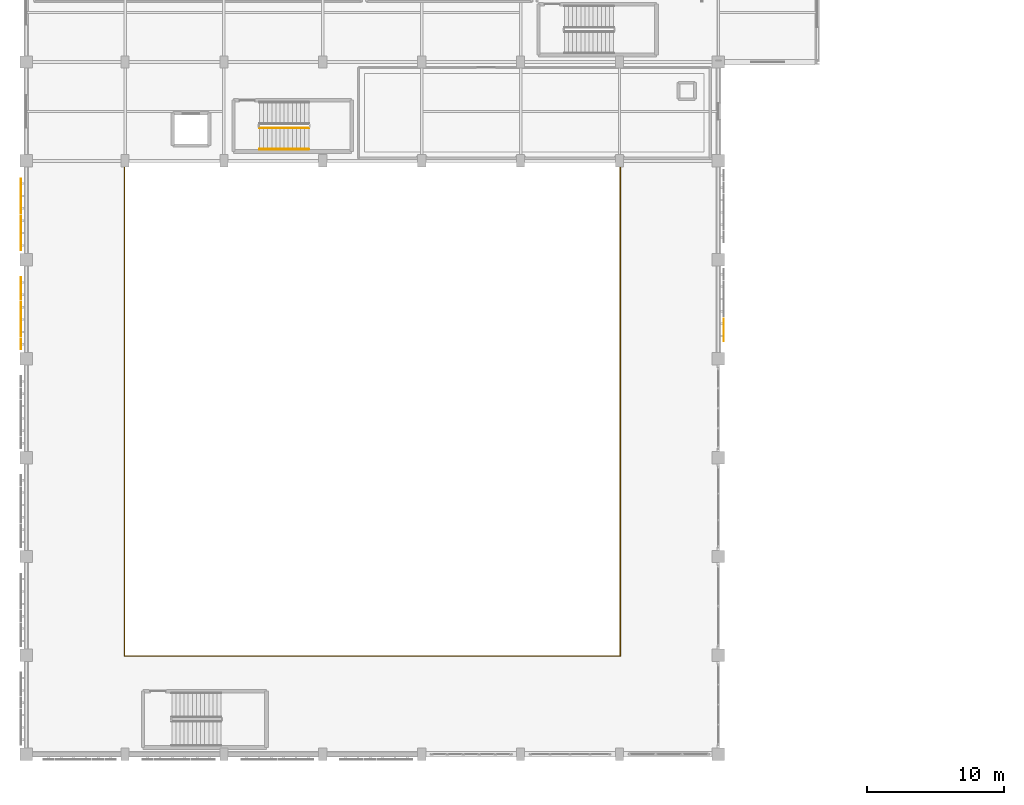
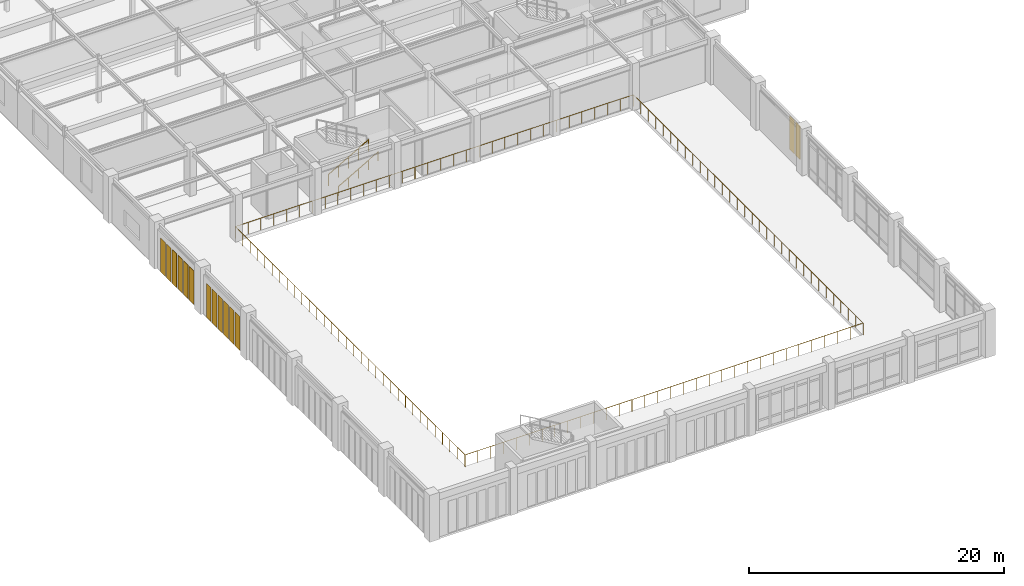
# One storey, part 95 of 106: 14 coverings, 4 railings.
"""IFC4 building model written with IfcOpenShell, lengths in metres."""

import ifcopenshell
import ifcopenshell.guid

model = None  # the IFC model being written
_history = None  # IfcOwnerHistory: only IFC2X3 demands one
_inside = {}  # id of a spatial element -> (the spatial element, [elements in it])
_under = {}  # id of a project, library or spatial element -> (it, [spatial elements below it])
_declared = {}  # id of a project -> (the project, [libraries it declares])
_typed = {}  # id of a type object -> (the type object, [elements of that type])
_made_of = {}  # id of a material, layer set ... -> (it, [elements and type objects made of it])


def new_model(schema):
    """Start an empty IFC model of exactly this schema.

    Asked for "IFC4X3", IfcOpenShell would pick the latest addendum, in which some entities
    have other attributes; the version numbers below select the first issue.
    IFC2X3 requires an IfcOwnerHistory on every rooted entity: one is made here for all.
    """
    global model, _history
    if schema == "IFC4X3":
        model = ifcopenshell.file(schema_version=(4, 3, 0, 0))
    else:
        model = ifcopenshell.file(schema=schema)
    _inside.clear()
    _under.clear()
    _declared.clear()
    _typed.clear()
    _made_of.clear()
    _history = None
    if model.schema == "IFC2X3":
        org = make("IfcOrganization", Name="unknown")
        user = make(
            "IfcPersonAndOrganization",
            ThePerson=make("IfcPerson", FamilyName="unknown"),
            TheOrganization=org,
        )
        app = make(
            "IfcApplication",
            ApplicationDeveloper=org,
            Version="unknown",
            ApplicationFullName="unknown",
            ApplicationIdentifier="unknown",
        )
        _history = make(
            "IfcOwnerHistory",
            OwningUser=user,
            OwningApplication=app,
            ChangeAction="ADDED",
            CreationDate=0,
        )
    return model


def make(cls, **values):
    """One entity of the class cls with the attributes given. An attribute that is None is left unset."""
    return model.create_entity(
        cls, **{name: value for name, value in values.items() if value is not None}
    )


def rooted(cls, **values):
    """An entity with a GlobalId (a new one), such as an element, a storey or a relation."""
    return make(cls, GlobalId=ifcopenshell.guid.new(), OwnerHistory=_history, **values)


def si_unit(unit_type, name, prefix=None):
    """IfcSIUnit, for example si_unit("LENGTHUNIT", "METRE", prefix="MILLI")."""
    return make("IfcSIUnit", UnitType=unit_type, Prefix=prefix, Name=name)


def assignment(units):
    """IfcUnitAssignment: the units of a project."""
    return None if units is None else make("IfcUnitAssignment", Units=units)


def point(xyz):
    """IfcCartesianPoint."""
    return None if xyz is None else make("IfcCartesianPoint", Coordinates=xyz)


def direction(xyz):
    """IfcDirection."""
    return None if xyz is None else make("IfcDirection", DirectionRatios=xyz)


def frame(location, z_axis=None, x_axis=None):
    """IfcAxis2Placement3D, a coordinate frame: its origin and axes. An axis left out is left unset."""
    return make(
        "IfcAxis2Placement3D",
        Location=point(location),
        Axis=direction(z_axis),
        RefDirection=direction(x_axis),
    )


def frame_2d(location, x_axis=None):
    """IfcAxis2Placement2D, a coordinate frame in the plane: its origin and x axis."""
    return make(
        "IfcAxis2Placement2D", Location=point(location), RefDirection=direction(x_axis)
    )


def origin():
    """The frame at (0, 0, 0) with its axes left unset."""
    return frame((0.0, 0.0, 0.0))


def origin_2d():
    """The frame at (0, 0) in the plane with its x axis left unset."""
    return frame_2d((0.0, 0.0))


def place(relative_to, where):
    """IfcLocalPlacement: puts the frame where relative to a parent placement (None: the world)."""
    return make(
        "IfcLocalPlacement", PlacementRelTo=relative_to, RelativePlacement=where
    )


def context(
    kind, dimensions, precision=None, world=None, true_north=None, identifier=None
):
    """IfcGeometricRepresentationContext, for example the 3D "Model" context."""
    return make(
        "IfcGeometricRepresentationContext",
        ContextIdentifier=identifier,
        ContextType=kind,
        CoordinateSpaceDimension=dimensions,
        Precision=precision,
        WorldCoordinateSystem=world,
        TrueNorth=true_north,
    )


def subcontext(parent, identifier, kind, view, scale=None):
    """IfcGeometricRepresentationSubContext, for example "Body" below "Model"."""
    return make(
        "IfcGeometricRepresentationSubContext",
        ContextIdentifier=identifier,
        ContextType=kind,
        ParentContext=parent,
        TargetScale=scale,
        TargetView=view,
    )


def project(units=None, contexts=None):
    """IfcProject with its units and contexts."""
    return rooted(
        "IfcProject",
        Name="project",
        RepresentationContexts=contexts,
        UnitsInContext=assignment(units),
    )


def spatial(cls, under=None, at=None, **own):
    """A site, building, storey or space (cls), placed at a placement, below another one or the project."""
    s = rooted(cls, ObjectPlacement=at, **own)
    if under is not None:
        _under.setdefault(under.id(), (under, []))[1].append(s)
    return s


def profile(cls, at=None, kind="AREA", **sizes):
    """A parametric profile (cls). Its sizes go by their IFC names, for example OverallWidth=200.0."""
    return make(cls, ProfileType=kind, Position=at, **sizes)


def rectangle(**sizes):
    """IfcRectangleProfileDef."""
    return profile("IfcRectangleProfileDef", **sizes)


def circle(**sizes):
    """IfcCircleProfileDef."""
    return profile("IfcCircleProfileDef", **sizes)


def extrude(swept, where, along, depth):
    """IfcExtrudedAreaSolid: the profile swept, set in the frame where, extruded along a direction by depth."""
    return make(
        "IfcExtrudedAreaSolid",
        SweptArea=swept,
        Position=where,
        ExtrudedDirection=direction(along),
        Depth=depth,
    )


def shape(context_of_items, identifier, shape_type, items):
    """IfcShapeRepresentation: the items that make up one representation, for example the "Body"."""
    return make(
        "IfcShapeRepresentation",
        ContextOfItems=context_of_items,
        RepresentationIdentifier=identifier,
        RepresentationType=shape_type,
        Items=items,
    )


def material(Name=None, Category=None):
    """IfcMaterial."""
    return make("IfcMaterial", Name=Name, Category=Category)


def layer(
    of_material, thickness, ventilated=None, Name=None, Category=None, Priority=None
):
    """IfcMaterialLayer: one layer of a wall or slab, of a material (None: an air gap)."""
    return make(
        "IfcMaterialLayer",
        Material=of_material,
        LayerThickness=thickness,
        IsVentilated=ventilated,
        Name=Name,
        Category=Category,
        Priority=Priority,
    )


def layer_set(layers, Name=None):
    """IfcMaterialLayerSet."""
    return make("IfcMaterialLayerSet", MaterialLayers=layers, LayerSetName=Name)


def made_of(thing, what):
    """Note that an element or type object is made of a material, layer set ...; save() writes the relation."""
    if what is not None:
        _made_of.setdefault(what.id(), (what, []))[1].append(thing)
    return thing


def type_object(cls, material=None, **own):
    """A type object (cls), such as IfcWallType, which elements share."""
    return made_of(rooted(cls, **own), material)


def element(
    cls,
    number,
    at=None,
    inside=None,
    cuts=None,
    type_object=None,
    material=None,
    context=None,
    identifier="Body",
    shape_type=None,
    held_by="IfcProductDefinitionShape",
    body=None,
    shapes=None,
    **own,
):
    """One element of the class cls, such as IfcWall. Its Tag is "e" and its number.

    at: its placement. inside: the storey or other place that contains it. cuts: it is an
    opening in that element (IfcRelVoidsElement). A single representation is given by context,
    identifier, shape_type and body (its items); several are given by shapes. held_by: the class
    of the entity that holds the representations. save() writes the other relations.
    """
    e = rooted(cls, Tag="e%d" % number, ObjectPlacement=at, **own)
    if body is not None:
        shapes = [shape(context, identifier, shape_type, body)]
    if shapes is not None:
        e.Representation = make(held_by, Representations=shapes)
    if inside is not None:
        _inside.setdefault(inside.id(), (inside, []))[1].append(e)
    if cuts is not None:
        rooted(
            "IfcRelVoidsElement", RelatingBuildingElement=cuts, RelatedOpeningElement=e
        )
    if type_object is not None:
        _typed.setdefault(type_object.id(), (type_object, []))[1].append(e)
    return made_of(e, material)


def aggregate(whole, parts):
    """IfcRelAggregates: a whole, such as a stair, and the parts it consists of."""
    return rooted("IfcRelAggregates", RelatingObject=whole, RelatedObjects=parts)


def save(model, path):
    """Write the relations noted so far, then the file.

    IfcRelAggregates (storeys below a building ...), IfcRelContainedInSpatialStructure (elements
    in a storey), IfcRelDefinesByType, IfcRelAssociatesMaterial and IfcRelDeclares: one each for
    every whole, place, type object, material and project.
    """
    for whole, parts in _under.values():
        aggregate(whole, parts)
    for where, things in _inside.values():
        rooted(
            "IfcRelContainedInSpatialStructure",
            RelatedElements=things,
            RelatingStructure=where,
        )
    for kind, things in _typed.values():
        rooted("IfcRelDefinesByType", RelatedObjects=things, RelatingType=kind)
    for what, things in _made_of.values():
        rooted("IfcRelAssociatesMaterial", RelatedObjects=things, RelatingMaterial=what)
    for by, libraries in _declared.values():
        rooted("IfcRelDeclares", RelatingContext=by, RelatedDefinitions=libraries)
    model.write(path)


model = new_model("IFC4")

# Units and contexts
model_context = context("Model", 3, precision=1e-05, world=origin(), true_north=direction((0.0, 1.0)))
body_context = subcontext(model_context, "Body", "Model", "MODEL_VIEW")
ifc_project = project(units=[si_unit("LENGTHUNIT", "METRE"), si_unit("AREAUNIT", "SQUARE_METRE"), si_unit("VOLUMEUNIT", "CUBIC_METRE"), si_unit("PLANEANGLEUNIT", "RADIAN"), si_unit("MASSUNIT", "GRAM", prefix="KILO")], contexts=[model_context])

# Site, building, storey
site_placement = place(None, origin())
site = spatial("IfcSite", under=ifc_project, at=site_placement, CompositionType="ELEMENT")
building_placement = place(site_placement, origin())
building = spatial("IfcBuilding", under=site, at=building_placement, Name="Carrowvane Square Congress Hotel", CompositionType="ELEMENT")
storey_placement = place(building_placement, frame((0.0, 0.0, 10.5)))
storey = spatial("IfcBuildingStorey", under=building, at=storey_placement, Name="L02", CompositionType="ELEMENT", Elevation=10.5)

# Coverings
ifc_material_1 = material(Name="Champagne-gold anodised aluminium", Category="aluminium")
ifc_layer_1 = layer(ifc_material_1, 0.011962890625)
ifc_layer_set_1 = layer_set([ifc_layer_1], Name="Champagne-gold anodised aluminium")
covering_type = type_object("IfcCoveringType", Name="COV-SCR-GOLD12", PredefinedType="CLADDING", material=ifc_layer_set_1)
for number, where, z_axis, x_axis, name in (
    (1, (11.218994140625, 35.25, 0.25), (0.0, 0.0, 1.0), (0.0, 1.0, 0.0), "Champagne-gold perforated screen panel 67"),
    (2, (11.218994140625, 36.14990234375, 0.25), (0.0, 0.0, 1.0), (0.0, 1.0, 0.0), "Champagne-gold perforated screen panel 68"),
    (3, (11.218994140625, 37.050048828125, 0.25), (0.0, 0.0, 1.0), (0.0, 1.0, 0.0), "Champagne-gold perforated screen panel 69"),
    (4, (11.218994140625, 37.949951171875, 0.25), (0.0, 0.0, 1.0), (0.0, 1.0, 0.0), "Champagne-gold perforated screen panel 70"),
    (5, (11.218994140625, 38.85009765625, 0.25), (0.0, 0.0, 1.0), (0.0, 1.0, 0.0), "Champagne-gold perforated screen panel 71"),
    (6, (11.218994140625, 39.75, 0.25), (0.0, 0.0, 1.0), (0.0, 1.0, 0.0), "Champagne-gold perforated screen panel 72"),
    (7, (11.218994140625, 42.449951171875, 0.25), (0.0, 0.0, 1.0), (0.0, 1.0, 0.0), "Champagne-gold perforated screen panel 73"),
    (8, (11.218994140625, 43.35009765625, 0.25), (0.0, 0.0, 1.0), (0.0, 1.0, 0.0), "Champagne-gold perforated screen panel 74"),
    (9, (11.218994140625, 44.25, 0.25), (0.0, 0.0, 1.0), (0.0, 1.0, 0.0), "Champagne-gold perforated screen panel 75"),
    (10, (11.218994140625, 45.14990234375, 0.25), (0.0, 0.0, 1.0), (0.0, 1.0, 0.0), "Champagne-gold perforated screen panel 76"),
    (11, (11.218994140625, 46.050048828125, 0.25), (0.0, 0.0, 1.0), (0.0, 1.0, 0.0), "Champagne-gold perforated screen panel 77"),
    (12, (11.218994140625, 46.949951171875, 0.25), (0.0, 0.0, 1.0), (0.0, 1.0, 0.0), "Champagne-gold perforated screen panel 78"),
    (13, (62.381103515625, 36.75, 0.25), (0.0, 0.0, 1.0), (0.0, -1.0, 0.0), "Champagne-gold perforated screen panel 176"),
    (14, (62.381103515625, 35.85009765625, 0.25), (0.0, 0.0, 1.0), (0.0, -1.0, 0.0), "Champagne-gold perforated screen panel 177"),
):
    element("IfcCovering", number, at=place(storey_placement, frame(where, z_axis=z_axis, x_axis=x_axis)), inside=storey, type_object=covering_type, Name=name, PredefinedType="CLADDING", context=body_context, shape_type="SweptSolid", body=[
        extrude(rectangle(XDim=0.738037109375, YDim=0.011962890625, at=origin_2d()), origin(), (0.0, 0.0, 1.0), 3.2451171875),
    ])

# Railings
ifc_material_2 = material(Name="Stainless steel 316", Category="steel")
ifc_layer_2 = layer(ifc_material_2, 0.06494140625)
ifc_layer_set_2 = layer_set([ifc_layer_2], Name="Stainless steel 316")
railing_type_1 = type_object("IfcRailingType", Name="RLG-BAL-STL1150", PredefinedType="BALUSTRADE", material=ifc_layer_set_2)
railing_1_placement = place(storey_placement, frame((18.75, 12.574951171875, 0.0)))
element("IfcRailing", 15, at=railing_1_placement, inside=storey, type_object=railing_type_1, Name="L02 atrium void guard balustrade RLG-VOID-L02-V1 A", PredefinedType="BALUSTRADE", context=body_context, shape_type="SweptSolid", body=[
    extrude(circle(Radius=0.02392578125, at=origin_2d()), frame((0.0, 0.0, 1.1259765625), z_axis=(0.0, -1.0, 0.0), x_axis=(1.0, 0.0, 0.0)), (0.0, 0.0, 1.0), 0.02490234375),
    extrude(circle(Radius=0.02392578125, at=origin_2d()), frame((0.0, -0.02490234375, 1.1259765625), z_axis=(1.0, 0.0, 0.0), x_axis=(0.0, 1.0, 0.0)), (0.0, 0.0, 1.0), 36.10009765625),
    extrude(circle(Radius=0.02392578125, at=origin_2d()), frame((36.10009765625, -0.02490234375, 1.1259765625), z_axis=(0.0, 1.0, 0.0), x_axis=(-1.0, 0.0, 0.0)), (0.0, 0.0, 1.0), 36.074951171875),
    extrude(circle(Radius=0.02099609375, at=origin_2d()), origin(), (0.0, 0.0, 1.0), 1.101806640625),
    extrude(circle(Radius=0.02099609375, at=origin_2d()), frame((0.0, -0.02490234375, 0.0)), (0.0, 0.0, 1.0), 1.101806640625),
    extrude(circle(Radius=0.02099609375, at=origin_2d()), frame((1.16455078125, -0.02490234375, 0.0)), (0.0, 0.0, 1.0), 1.101806640625),
    extrude(circle(Radius=0.02099609375, at=origin_2d()), frame((2.3291015625, -0.02490234375, 0.0)), (0.0, 0.0, 1.0), 1.101806640625),
    extrude(circle(Radius=0.02099609375, at=origin_2d()), frame((3.49365234375, -0.02490234375, 0.0)), (0.0, 0.0, 1.0), 1.101806640625),
    extrude(circle(Radius=0.02099609375, at=origin_2d()), frame((4.657958984375, -0.02490234375, 0.0)), (0.0, 0.0, 1.0), 1.101806640625),
    extrude(circle(Radius=0.02099609375, at=origin_2d()), frame((5.822509765625, -0.02490234375, 0.0)), (0.0, 0.0, 1.0), 1.101806640625),
    extrude(circle(Radius=0.02099609375, at=origin_2d()), frame((6.987060546875, -0.02490234375, 0.0)), (0.0, 0.0, 1.0), 1.101806640625),
    extrude(circle(Radius=0.02099609375, at=origin_2d()), frame((8.151611328125, -0.02490234375, 0.0)), (0.0, 0.0, 1.0), 1.101806640625),
    extrude(circle(Radius=0.02099609375, at=origin_2d()), frame((9.316162109375, -0.02490234375, 0.0)), (0.0, 0.0, 1.0), 1.101806640625),
    extrude(circle(Radius=0.02099609375, at=origin_2d()), frame((10.480712890625, -0.02490234375, 0.0)), (0.0, 0.0, 1.0), 1.101806640625),
    extrude(circle(Radius=0.02099609375, at=origin_2d()), frame((11.645263671875, -0.02490234375, 0.0)), (0.0, 0.0, 1.0), 1.101806640625),
    extrude(circle(Radius=0.02099609375, at=origin_2d()), frame((12.809814453125, -0.02490234375, 0.0)), (0.0, 0.0, 1.0), 1.101806640625),
    extrude(circle(Radius=0.02099609375, at=origin_2d()), frame((13.97412109375, -0.02490234375, 0.0)), (0.0, 0.0, 1.0), 1.101806640625),
    extrude(circle(Radius=0.02099609375, at=origin_2d()), frame((15.138671875, -0.02490234375, 0.0)), (0.0, 0.0, 1.0), 1.101806640625),
    extrude(circle(Radius=0.02099609375, at=origin_2d()), frame((16.30322265625, -0.02490234375, 0.0)), (0.0, 0.0, 1.0), 1.101806640625),
    extrude(circle(Radius=0.02099609375, at=origin_2d()), frame((17.4677734375, -0.02490234375, 0.0)), (0.0, 0.0, 1.0), 1.101806640625),
    extrude(circle(Radius=0.02099609375, at=origin_2d()), frame((18.63232421875, -0.02490234375, 0.0)), (0.0, 0.0, 1.0), 1.101806640625),
    extrude(circle(Radius=0.02099609375, at=origin_2d()), frame((19.796875, -0.02490234375, 0.0)), (0.0, 0.0, 1.0), 1.101806640625),
    extrude(circle(Radius=0.02099609375, at=origin_2d()), frame((20.96142578125, -0.02490234375, 0.0)), (0.0, 0.0, 1.0), 1.101806640625),
    extrude(circle(Radius=0.02099609375, at=origin_2d()), frame((22.1259765625, -0.02490234375, 0.0)), (0.0, 0.0, 1.0), 1.101806640625),
    extrude(circle(Radius=0.02099609375, at=origin_2d()), frame((23.290283203125, -0.02490234375, 0.0)), (0.0, 0.0, 1.0), 1.101806640625),
    extrude(circle(Radius=0.02099609375, at=origin_2d()), frame((24.454833984375, -0.02490234375, 0.0)), (0.0, 0.0, 1.0), 1.101806640625),
    extrude(circle(Radius=0.02099609375, at=origin_2d()), frame((25.619384765625, -0.02490234375, 0.0)), (0.0, 0.0, 1.0), 1.101806640625),
    extrude(circle(Radius=0.02099609375, at=origin_2d()), frame((26.783935546875, -0.02490234375, 0.0)), (0.0, 0.0, 1.0), 1.101806640625),
    extrude(circle(Radius=0.02099609375, at=origin_2d()), frame((27.948486328125, -0.02490234375, 0.0)), (0.0, 0.0, 1.0), 1.101806640625),
    extrude(circle(Radius=0.02099609375, at=origin_2d()), frame((29.113037109375, -0.02490234375, 0.0)), (0.0, 0.0, 1.0), 1.101806640625),
    extrude(circle(Radius=0.02099609375, at=origin_2d()), frame((30.277587890625, -0.02490234375, 0.0)), (0.0, 0.0, 1.0), 1.101806640625),
    extrude(circle(Radius=0.02099609375, at=origin_2d()), frame((31.442138671875, -0.02490234375, 0.0)), (0.0, 0.0, 1.0), 1.101806640625),
    extrude(circle(Radius=0.02099609375, at=origin_2d()), frame((32.6064453125, -0.02490234375, 0.0)), (0.0, 0.0, 1.0), 1.101806640625),
    extrude(circle(Radius=0.02099609375, at=origin_2d()), frame((33.77099609375, -0.02490234375, 0.0)), (0.0, 0.0, 1.0), 1.101806640625),
    extrude(circle(Radius=0.02099609375, at=origin_2d()), frame((34.935546875, -0.02490234375, 0.0)), (0.0, 0.0, 1.0), 1.101806640625),
    extrude(circle(Radius=0.02099609375, at=origin_2d()), frame((36.10009765625, -0.02490234375, 0.0)), (0.0, 0.0, 1.0), 1.101806640625),
    extrude(circle(Radius=0.02099609375, at=origin_2d()), frame((36.10009765625, 1.138916015625, 0.0)), (0.0, 0.0, 1.0), 1.101806640625),
    extrude(circle(Radius=0.02099609375, at=origin_2d()), frame((36.10009765625, 2.302490234375, 0.0)), (0.0, 0.0, 1.0), 1.101806640625),
    extrude(circle(Radius=0.02099609375, at=origin_2d()), frame((36.10009765625, 3.46630859375, 0.0)), (0.0, 0.0, 1.0), 1.101806640625),
    extrude(circle(Radius=0.02099609375, at=origin_2d()), frame((36.10009765625, 4.6298828125, 0.0)), (0.0, 0.0, 1.0), 1.101806640625),
    extrude(circle(Radius=0.02099609375, at=origin_2d()), frame((36.10009765625, 5.793701171875, 0.0)), (0.0, 0.0, 1.0), 1.101806640625),
    extrude(circle(Radius=0.02099609375, at=origin_2d()), frame((36.10009765625, 6.957275390625, 0.0)), (0.0, 0.0, 1.0), 1.101806640625),
    extrude(circle(Radius=0.02099609375, at=origin_2d()), frame((36.10009765625, 8.12109375, 0.0)), (0.0, 0.0, 1.0), 1.101806640625),
    extrude(circle(Radius=0.02099609375, at=origin_2d()), frame((36.10009765625, 9.28466796875, 0.0)), (0.0, 0.0, 1.0), 1.101806640625),
    extrude(circle(Radius=0.02099609375, at=origin_2d()), frame((36.10009765625, 10.448486328125, 0.0)), (0.0, 0.0, 1.0), 1.101806640625),
    extrude(circle(Radius=0.02099609375, at=origin_2d()), frame((36.10009765625, 11.612060546875, 0.0)), (0.0, 0.0, 1.0), 1.101806640625),
    extrude(circle(Radius=0.02099609375, at=origin_2d()), frame((36.10009765625, 12.77587890625, 0.0)), (0.0, 0.0, 1.0), 1.101806640625),
    extrude(circle(Radius=0.02099609375, at=origin_2d()), frame((36.10009765625, 13.939697265625, 0.0)), (0.0, 0.0, 1.0), 1.101806640625),
    extrude(circle(Radius=0.02099609375, at=origin_2d()), frame((36.10009765625, 15.103271484375, 0.0)), (0.0, 0.0, 1.0), 1.101806640625),
    extrude(circle(Radius=0.02099609375, at=origin_2d()), frame((36.10009765625, 16.26708984375, 0.0)), (0.0, 0.0, 1.0), 1.101806640625),
    extrude(circle(Radius=0.02099609375, at=origin_2d()), frame((36.10009765625, 17.4306640625, 0.0)), (0.0, 0.0, 1.0), 1.101806640625),
    extrude(circle(Radius=0.02099609375, at=origin_2d()), frame((36.10009765625, 18.594482421875, 0.0)), (0.0, 0.0, 1.0), 1.101806640625),
    extrude(circle(Radius=0.02099609375, at=origin_2d()), frame((36.10009765625, 19.758056640625, 0.0)), (0.0, 0.0, 1.0), 1.101806640625),
    extrude(circle(Radius=0.02099609375, at=origin_2d()), frame((36.10009765625, 20.921875, 0.0)), (0.0, 0.0, 1.0), 1.101806640625),
    extrude(circle(Radius=0.02099609375, at=origin_2d()), frame((36.10009765625, 22.08544921875, 0.0)), (0.0, 0.0, 1.0), 1.101806640625),
    extrude(circle(Radius=0.02099609375, at=origin_2d()), frame((36.10009765625, 23.249267578125, 0.0)), (0.0, 0.0, 1.0), 1.101806640625),
    extrude(circle(Radius=0.02099609375, at=origin_2d()), frame((36.10009765625, 24.4130859375, 0.0)), (0.0, 0.0, 1.0), 1.101806640625),
    extrude(circle(Radius=0.02099609375, at=origin_2d()), frame((36.10009765625, 25.57666015625, 0.0)), (0.0, 0.0, 1.0), 1.101806640625),
    extrude(circle(Radius=0.02099609375, at=origin_2d()), frame((36.10009765625, 26.740478515625, 0.0)), (0.0, 0.0, 1.0), 1.101806640625),
    extrude(circle(Radius=0.02099609375, at=origin_2d()), frame((36.10009765625, 27.904052734375, 0.0)), (0.0, 0.0, 1.0), 1.101806640625),
    extrude(circle(Radius=0.02099609375, at=origin_2d()), frame((36.10009765625, 29.06787109375, 0.0)), (0.0, 0.0, 1.0), 1.101806640625),
    extrude(circle(Radius=0.02099609375, at=origin_2d()), frame((36.10009765625, 30.2314453125, 0.0)), (0.0, 0.0, 1.0), 1.101806640625),
    extrude(circle(Radius=0.02099609375, at=origin_2d()), frame((36.10009765625, 31.395263671875, 0.0)), (0.0, 0.0, 1.0), 1.101806640625),
    extrude(circle(Radius=0.02099609375, at=origin_2d()), frame((36.10009765625, 32.558837890625, 0.0)), (0.0, 0.0, 1.0), 1.101806640625),
    extrude(circle(Radius=0.02099609375, at=origin_2d()), frame((36.10009765625, 33.72265625, 0.0)), (0.0, 0.0, 1.0), 1.101806640625),
    extrude(circle(Radius=0.02099609375, at=origin_2d()), frame((36.10009765625, 34.88623046875, 0.0)), (0.0, 0.0, 1.0), 1.101806640625),
    extrude(circle(Radius=0.02099609375, at=origin_2d()), frame((36.10009765625, 36.050048828125, 0.0)), (0.0, 0.0, 1.0), 1.101806640625),
])
railing_2_placement = place(storey_placement, frame((54.85009765625, 48.64990234375, 0.0)))
element("IfcRailing", 16, at=railing_2_placement, inside=storey, type_object=railing_type_1, Name="L02 atrium void guard balustrade RLG-VOID-L02-V1 B", PredefinedType="BALUSTRADE", context=body_context, shape_type="SweptSolid", body=[
    extrude(circle(Radius=0.02392578125, at=origin_2d()), frame((0.0, 0.0, 1.1259765625), z_axis=(-1.0, 0.0, 0.0), x_axis=(0.0, -1.0, 0.0)), (0.0, 0.0, 1.0), 36.10009765625),
    extrude(circle(Radius=0.02392578125, at=origin_2d()), frame((-36.10009765625, 0.0, 1.1259765625), z_axis=(0.0, -1.0, 0.0), x_axis=(1.0, 0.0, 0.0)), (0.0, 0.0, 1.0), 36.044921875),
    extrude(circle(Radius=0.02099609375, at=origin_2d()), origin(), (0.0, 0.0, 1.0), 1.101806640625),
    extrude(circle(Radius=0.02099609375, at=origin_2d()), frame((-1.16455078125, 0.0, 0.0)), (0.0, 0.0, 1.0), 1.101806640625),
    extrude(circle(Radius=0.02099609375, at=origin_2d()), frame((-2.3291015625, 0.0, 0.0)), (0.0, 0.0, 1.0), 1.101806640625),
    extrude(circle(Radius=0.02099609375, at=origin_2d()), frame((-3.49365234375, 0.0, 0.0)), (0.0, 0.0, 1.0), 1.101806640625),
    extrude(circle(Radius=0.02099609375, at=origin_2d()), frame((-4.657958984375, 0.0, 0.0)), (0.0, 0.0, 1.0), 1.101806640625),
    extrude(circle(Radius=0.02099609375, at=origin_2d()), frame((-5.822509765625, 0.0, 0.0)), (0.0, 0.0, 1.0), 1.101806640625),
    extrude(circle(Radius=0.02099609375, at=origin_2d()), frame((-6.987060546875, 0.0, 0.0)), (0.0, 0.0, 1.0), 1.101806640625),
    extrude(circle(Radius=0.02099609375, at=origin_2d()), frame((-8.151611328125, 0.0, 0.0)), (0.0, 0.0, 1.0), 1.101806640625),
    extrude(circle(Radius=0.02099609375, at=origin_2d()), frame((-9.316162109375, 0.0, 0.0)), (0.0, 0.0, 1.0), 1.101806640625),
    extrude(circle(Radius=0.02099609375, at=origin_2d()), frame((-10.480712890625, 0.0, 0.0)), (0.0, 0.0, 1.0), 1.101806640625),
    extrude(circle(Radius=0.02099609375, at=origin_2d()), frame((-11.645263671875, 0.0, 0.0)), (0.0, 0.0, 1.0), 1.101806640625),
    extrude(circle(Radius=0.02099609375, at=origin_2d()), frame((-12.809814453125, 0.0, 0.0)), (0.0, 0.0, 1.0), 1.101806640625),
    extrude(circle(Radius=0.02099609375, at=origin_2d()), frame((-13.97412109375, 0.0, 0.0)), (0.0, 0.0, 1.0), 1.101806640625),
    extrude(circle(Radius=0.02099609375, at=origin_2d()), frame((-15.138671875, 0.0, 0.0)), (0.0, 0.0, 1.0), 1.101806640625),
    extrude(circle(Radius=0.02099609375, at=origin_2d()), frame((-16.30322265625, 0.0, 0.0)), (0.0, 0.0, 1.0), 1.101806640625),
    extrude(circle(Radius=0.02099609375, at=origin_2d()), frame((-17.4677734375, 0.0, 0.0)), (0.0, 0.0, 1.0), 1.101806640625),
    extrude(circle(Radius=0.02099609375, at=origin_2d()), frame((-18.63232421875, 0.0, 0.0)), (0.0, 0.0, 1.0), 1.101806640625),
    extrude(circle(Radius=0.02099609375, at=origin_2d()), frame((-19.796875, 0.0, 0.0)), (0.0, 0.0, 1.0), 1.101806640625),
    extrude(circle(Radius=0.02099609375, at=origin_2d()), frame((-20.96142578125, 0.0, 0.0)), (0.0, 0.0, 1.0), 1.101806640625),
    extrude(circle(Radius=0.02099609375, at=origin_2d()), frame((-22.1259765625, 0.0, 0.0)), (0.0, 0.0, 1.0), 1.101806640625),
    extrude(circle(Radius=0.02099609375, at=origin_2d()), frame((-23.290283203125, 0.0, 0.0)), (0.0, 0.0, 1.0), 1.101806640625),
    extrude(circle(Radius=0.02099609375, at=origin_2d()), frame((-24.454833984375, 0.0, 0.0)), (0.0, 0.0, 1.0), 1.101806640625),
    extrude(circle(Radius=0.02099609375, at=origin_2d()), frame((-25.619384765625, 0.0, 0.0)), (0.0, 0.0, 1.0), 1.101806640625),
    extrude(circle(Radius=0.02099609375, at=origin_2d()), frame((-26.783935546875, 0.0, 0.0)), (0.0, 0.0, 1.0), 1.101806640625),
    extrude(circle(Radius=0.02099609375, at=origin_2d()), frame((-27.948486328125, 0.0, 0.0)), (0.0, 0.0, 1.0), 1.101806640625),
    extrude(circle(Radius=0.02099609375, at=origin_2d()), frame((-29.113037109375, 0.0, 0.0)), (0.0, 0.0, 1.0), 1.101806640625),
    extrude(circle(Radius=0.02099609375, at=origin_2d()), frame((-30.277587890625, 0.0, 0.0)), (0.0, 0.0, 1.0), 1.101806640625),
    extrude(circle(Radius=0.02099609375, at=origin_2d()), frame((-31.442138671875, 0.0, 0.0)), (0.0, 0.0, 1.0), 1.101806640625),
    extrude(circle(Radius=0.02099609375, at=origin_2d()), frame((-32.6064453125, 0.0, 0.0)), (0.0, 0.0, 1.0), 1.101806640625),
    extrude(circle(Radius=0.02099609375, at=origin_2d()), frame((-33.77099609375, 0.0, 0.0)), (0.0, 0.0, 1.0), 1.101806640625),
    extrude(circle(Radius=0.02099609375, at=origin_2d()), frame((-34.935546875, 0.0, 0.0)), (0.0, 0.0, 1.0), 1.101806640625),
    extrude(circle(Radius=0.02099609375, at=origin_2d()), frame((-36.10009765625, 0.0, 0.0)), (0.0, 0.0, 1.0), 1.101806640625),
    extrude(circle(Radius=0.02099609375, at=origin_2d()), frame((-36.10009765625, -1.162841796875, 0.0)), (0.0, 0.0, 1.0), 1.101806640625),
    extrude(circle(Radius=0.02099609375, at=origin_2d()), frame((-36.10009765625, -2.325439453125, 0.0)), (0.0, 0.0, 1.0), 1.101806640625),
    extrude(circle(Radius=0.02099609375, at=origin_2d()), frame((-36.10009765625, -3.48828125, 0.0)), (0.0, 0.0, 1.0), 1.101806640625),
    extrude(circle(Radius=0.02099609375, at=origin_2d()), frame((-36.10009765625, -4.65087890625, 0.0)), (0.0, 0.0, 1.0), 1.101806640625),
    extrude(circle(Radius=0.02099609375, at=origin_2d()), frame((-36.10009765625, -5.813720703125, 0.0)), (0.0, 0.0, 1.0), 1.101806640625),
    extrude(circle(Radius=0.02099609375, at=origin_2d()), frame((-36.10009765625, -6.976318359375, 0.0)), (0.0, 0.0, 1.0), 1.101806640625),
    extrude(circle(Radius=0.02099609375, at=origin_2d()), frame((-36.10009765625, -8.13916015625, 0.0)), (0.0, 0.0, 1.0), 1.101806640625),
    extrude(circle(Radius=0.02099609375, at=origin_2d()), frame((-36.10009765625, -9.302001953125, 0.0)), (0.0, 0.0, 1.0), 1.101806640625),
    extrude(circle(Radius=0.02099609375, at=origin_2d()), frame((-36.10009765625, -10.464599609375, 0.0)), (0.0, 0.0, 1.0), 1.101806640625),
    extrude(circle(Radius=0.02099609375, at=origin_2d()), frame((-36.10009765625, -11.62744140625, 0.0)), (0.0, 0.0, 1.0), 1.101806640625),
    extrude(circle(Radius=0.02099609375, at=origin_2d()), frame((-36.10009765625, -12.7900390625, 0.0)), (0.0, 0.0, 1.0), 1.101806640625),
    extrude(circle(Radius=0.02099609375, at=origin_2d()), frame((-36.10009765625, -13.952880859375, 0.0)), (0.0, 0.0, 1.0), 1.101806640625),
    extrude(circle(Radius=0.02099609375, at=origin_2d()), frame((-36.10009765625, -15.11572265625, 0.0)), (0.0, 0.0, 1.0), 1.101806640625),
    extrude(circle(Radius=0.02099609375, at=origin_2d()), frame((-36.10009765625, -16.2783203125, 0.0)), (0.0, 0.0, 1.0), 1.101806640625),
    extrude(circle(Radius=0.02099609375, at=origin_2d()), frame((-36.10009765625, -17.441162109375, 0.0)), (0.0, 0.0, 1.0), 1.101806640625),
    extrude(circle(Radius=0.02099609375, at=origin_2d()), frame((-36.10009765625, -18.603759765625, 0.0)), (0.0, 0.0, 1.0), 1.101806640625),
    extrude(circle(Radius=0.02099609375, at=origin_2d()), frame((-36.10009765625, -19.7666015625, 0.0)), (0.0, 0.0, 1.0), 1.101806640625),
    extrude(circle(Radius=0.02099609375, at=origin_2d()), frame((-36.10009765625, -20.92919921875, 0.0)), (0.0, 0.0, 1.0), 1.101806640625),
    extrude(circle(Radius=0.02099609375, at=origin_2d()), frame((-36.10009765625, -22.092041015625, 0.0)), (0.0, 0.0, 1.0), 1.101806640625),
    extrude(circle(Radius=0.02099609375, at=origin_2d()), frame((-36.10009765625, -23.2548828125, 0.0)), (0.0, 0.0, 1.0), 1.101806640625),
    extrude(circle(Radius=0.02099609375, at=origin_2d()), frame((-36.10009765625, -24.41748046875, 0.0)), (0.0, 0.0, 1.0), 1.101806640625),
    extrude(circle(Radius=0.02099609375, at=origin_2d()), frame((-36.10009765625, -25.580322265625, 0.0)), (0.0, 0.0, 1.0), 1.101806640625),
    extrude(circle(Radius=0.02099609375, at=origin_2d()), frame((-36.10009765625, -26.742919921875, 0.0)), (0.0, 0.0, 1.0), 1.101806640625),
    extrude(circle(Radius=0.02099609375, at=origin_2d()), frame((-36.10009765625, -27.90576171875, 0.0)), (0.0, 0.0, 1.0), 1.101806640625),
    extrude(circle(Radius=0.02099609375, at=origin_2d()), frame((-36.10009765625, -29.068603515625, 0.0)), (0.0, 0.0, 1.0), 1.101806640625),
    extrude(circle(Radius=0.02099609375, at=origin_2d()), frame((-36.10009765625, -30.231201171875, 0.0)), (0.0, 0.0, 1.0), 1.101806640625),
    extrude(circle(Radius=0.02099609375, at=origin_2d()), frame((-36.10009765625, -31.39404296875, 0.0)), (0.0, 0.0, 1.0), 1.101806640625),
    extrude(circle(Radius=0.02099609375, at=origin_2d()), frame((-36.10009765625, -32.556640625, 0.0)), (0.0, 0.0, 1.0), 1.101806640625),
    extrude(circle(Radius=0.02099609375, at=origin_2d()), frame((-36.10009765625, -33.719482421875, 0.0)), (0.0, 0.0, 1.0), 1.101806640625),
    extrude(circle(Radius=0.02099609375, at=origin_2d()), frame((-36.10009765625, -34.882080078125, 0.0)), (0.0, 0.0, 1.0), 1.101806640625),
    extrude(circle(Radius=0.02099609375, at=origin_2d()), frame((-36.10009765625, -36.044921875, 0.0)), (0.0, 0.0, 1.0), 1.101806640625),
])
ifc_material_3 = material(Name="Stainless steel 316", Category="steel")
ifc_layer_3 = layer(ifc_material_3, 0.048095703125)
ifc_layer_set_3 = layer_set([ifc_layer_3], Name="Stainless steel 316")
railing_type_2 = type_object("IfcRailingType", Name="RLG-HR-900", PredefinedType="HANDRAIL", material=ifc_layer_set_3)
railing_3_placement = place(storey_placement, frame((28.580078125, 49.449951171875, 0.173095703125)))
element("IfcRailing", 17, at=railing_3_placement, inside=storey, type_object=railing_type_2, Name="L02 ST6 stair handrail 1", PredefinedType="HANDRAIL", context=body_context, shape_type="SweptSolid", body=[
    extrude(circle(Radius=0.02392578125, at=origin_2d()), frame((0.0, 0.0, 0.8759765625), z_axis=(0.866178740119, 0.0, 0.499734319579), x_axis=(0.0, 1.0, 0.0)), (0.0, 0.0, 1.0), 4.156005859375),
    extrude(circle(Radius=0.02099609375, at=origin_2d()), origin(), (0.0, 0.0, 1.0), 0.851806640625),
    extrude(circle(Radius=0.02099609375, at=origin_2d()), frame((0.89990234375, 0.0, 0.519287109375)), (0.0, 0.0, 1.0), 0.851806640625),
    extrude(circle(Radius=0.02099609375, at=origin_2d()), frame((1.7998046875, 0.0, 1.03857421875)), (0.0, 0.0, 1.0), 0.851806640625),
    extrude(circle(Radius=0.02099609375, at=origin_2d()), frame((2.699951171875, 0.0, 1.5576171875)), (0.0, 0.0, 1.0), 0.851806640625),
    extrude(circle(Radius=0.02099609375, at=origin_2d()), frame((3.599853515625, 0.0, 2.076904296875)), (0.0, 0.0, 1.0), 0.851806640625),
])
ifc_material_4 = material(Name="Galvanised steel", Category="steel")
ifc_layer_4 = layer(ifc_material_4, 0.048095703125)
ifc_layer_set_4 = layer_set([ifc_layer_4], Name="Galvanised steel")
railing_type_3 = type_object("IfcRailingType", Name="RLG-STG-1100", PredefinedType="GUARDRAIL", material=ifc_layer_set_4)
railing_4_placement = place(storey_placement, frame((28.580078125, 51.010009765625, 0.173095703125)))
element("IfcRailing", 18, at=railing_4_placement, inside=storey, type_object=railing_type_3, Name="L02 ST6 stair guard 1", PredefinedType="GUARDRAIL", context=body_context, shape_type="SweptSolid", body=[
    extrude(circle(Radius=0.02392578125, at=origin_2d()), frame((0.0, 0.0, 1.076171875), z_axis=(0.866178740119, 0.0, 0.499734319579), x_axis=(0.0, 1.0, 0.0)), (0.0, 0.0, 1.0), 4.156005859375),
    extrude(circle(Radius=0.02099609375, at=origin_2d()), origin(), (0.0, 0.0, 1.0), 1.052001953125),
    extrude(circle(Radius=0.02099609375, at=origin_2d()), frame((0.89990234375, 0.0, 0.519287109375)), (0.0, 0.0, 1.0), 1.052001953125),
    extrude(circle(Radius=0.02099609375, at=origin_2d()), frame((1.7998046875, 0.0, 1.03857421875)), (0.0, 0.0, 1.0), 1.052001953125),
    extrude(circle(Radius=0.02099609375, at=origin_2d()), frame((2.699951171875, 0.0, 1.5576171875)), (0.0, 0.0, 1.0), 1.052001953125),
    extrude(circle(Radius=0.02099609375, at=origin_2d()), frame((3.599853515625, 0.0, 2.076904296875)), (0.0, 0.0, 1.0), 1.052001953125),
])

save(model, "model.ifc")
